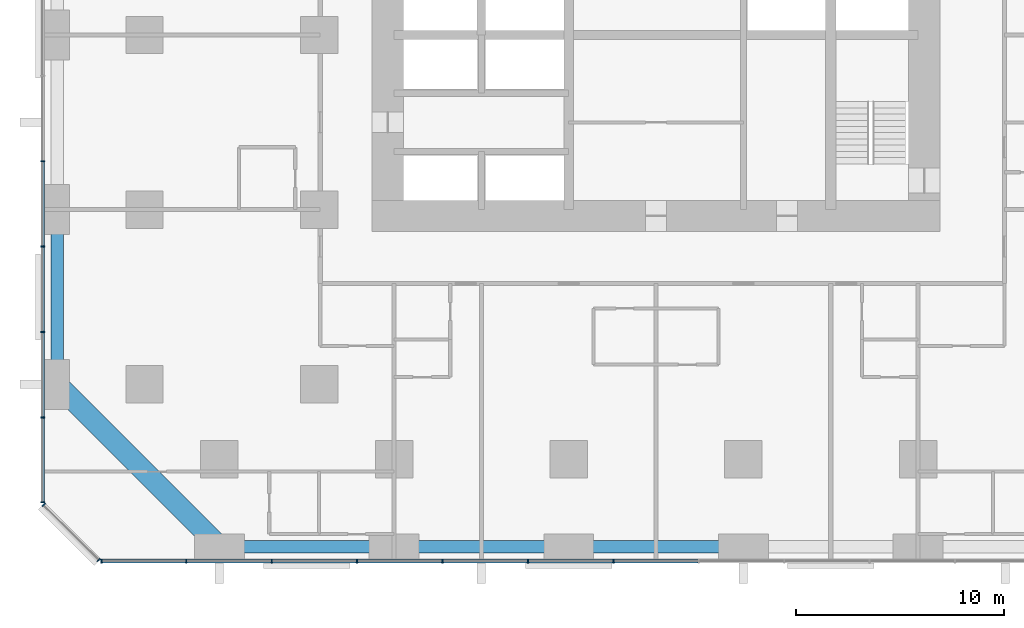
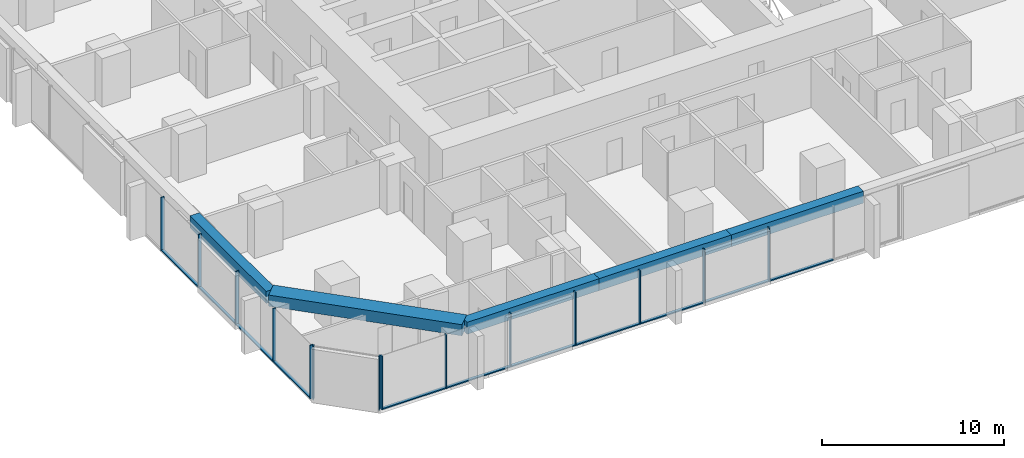
# One storey, part 2 of 17: 25 members, 5 beams, 3 elements without a shape of their own.
"""IFC4 building model written with IfcOpenShell, lengths in metres."""

import ifcopenshell
import ifcopenshell.guid

model = None  # the IFC model being written
_history = None  # IfcOwnerHistory: only IFC2X3 demands one
_inside = {}  # id of a spatial element -> (the spatial element, [elements in it])
_under = {}  # id of a project, library or spatial element -> (it, [spatial elements below it])
_declared = {}  # id of a project -> (the project, [libraries it declares])
_typed = {}  # id of a type object -> (the type object, [elements of that type])
_made_of = {}  # id of a material, layer set ... -> (it, [elements and type objects made of it])


def new_model(schema):
    """Start an empty IFC model of exactly this schema.

    Asked for "IFC4X3", IfcOpenShell would pick the latest addendum, in which some entities
    have other attributes; the version numbers below select the first issue.
    IFC2X3 requires an IfcOwnerHistory on every rooted entity: one is made here for all.
    """
    global model, _history
    if schema == "IFC4X3":
        model = ifcopenshell.file(schema_version=(4, 3, 0, 0))
    else:
        model = ifcopenshell.file(schema=schema)
    _inside.clear()
    _under.clear()
    _declared.clear()
    _typed.clear()
    _made_of.clear()
    _history = None
    if model.schema == "IFC2X3":
        org = make("IfcOrganization", Name="unknown")
        user = make(
            "IfcPersonAndOrganization",
            ThePerson=make("IfcPerson", FamilyName="unknown"),
            TheOrganization=org,
        )
        app = make(
            "IfcApplication",
            ApplicationDeveloper=org,
            Version="unknown",
            ApplicationFullName="unknown",
            ApplicationIdentifier="unknown",
        )
        _history = make(
            "IfcOwnerHistory",
            OwningUser=user,
            OwningApplication=app,
            ChangeAction="ADDED",
            CreationDate=0,
        )
    return model


def make(cls, **values):
    """One entity of the class cls with the attributes given. An attribute that is None is left unset."""
    return model.create_entity(
        cls, **{name: value for name, value in values.items() if value is not None}
    )


def rooted(cls, **values):
    """An entity with a GlobalId (a new one), such as an element, a storey or a relation."""
    return make(cls, GlobalId=ifcopenshell.guid.new(), OwnerHistory=_history, **values)


def si_unit(unit_type, name, prefix=None):
    """IfcSIUnit, for example si_unit("LENGTHUNIT", "METRE", prefix="MILLI")."""
    return make("IfcSIUnit", UnitType=unit_type, Prefix=prefix, Name=name)


def assignment(units):
    """IfcUnitAssignment: the units of a project."""
    return None if units is None else make("IfcUnitAssignment", Units=units)


def point(xyz):
    """IfcCartesianPoint."""
    return None if xyz is None else make("IfcCartesianPoint", Coordinates=xyz)


def direction(xyz):
    """IfcDirection."""
    return None if xyz is None else make("IfcDirection", DirectionRatios=xyz)


def frame(location, z_axis=None, x_axis=None):
    """IfcAxis2Placement3D, a coordinate frame: its origin and axes. An axis left out is left unset."""
    return make(
        "IfcAxis2Placement3D",
        Location=point(location),
        Axis=direction(z_axis),
        RefDirection=direction(x_axis),
    )


def frame_2d(location, x_axis=None):
    """IfcAxis2Placement2D, a coordinate frame in the plane: its origin and x axis."""
    return make(
        "IfcAxis2Placement2D", Location=point(location), RefDirection=direction(x_axis)
    )


def origin():
    """The frame at (0, 0, 0) with its axes left unset."""
    return frame((0.0, 0.0, 0.0))


def origin_2d():
    """The frame at (0, 0) in the plane with its x axis left unset."""
    return frame_2d((0.0, 0.0))


def place(relative_to, where):
    """IfcLocalPlacement: puts the frame where relative to a parent placement (None: the world)."""
    return make(
        "IfcLocalPlacement", PlacementRelTo=relative_to, RelativePlacement=where
    )


def context(
    kind, dimensions, precision=None, world=None, true_north=None, identifier=None
):
    """IfcGeometricRepresentationContext, for example the 3D "Model" context."""
    return make(
        "IfcGeometricRepresentationContext",
        ContextIdentifier=identifier,
        ContextType=kind,
        CoordinateSpaceDimension=dimensions,
        Precision=precision,
        WorldCoordinateSystem=world,
        TrueNorth=true_north,
    )


def subcontext(parent, identifier, kind, view, scale=None):
    """IfcGeometricRepresentationSubContext, for example "Body" below "Model"."""
    return make(
        "IfcGeometricRepresentationSubContext",
        ContextIdentifier=identifier,
        ContextType=kind,
        ParentContext=parent,
        TargetScale=scale,
        TargetView=view,
    )


def project(units=None, contexts=None):
    """IfcProject with its units and contexts."""
    return rooted(
        "IfcProject",
        Name="project",
        RepresentationContexts=contexts,
        UnitsInContext=assignment(units),
    )


def spatial(cls, under=None, at=None, **own):
    """A site, building, storey or space (cls), placed at a placement, below another one or the project."""
    s = rooted(cls, ObjectPlacement=at, **own)
    if under is not None:
        _under.setdefault(under.id(), (under, []))[1].append(s)
    return s


def profile(cls, at=None, kind="AREA", **sizes):
    """A parametric profile (cls). Its sizes go by their IFC names, for example OverallWidth=200.0."""
    return make(cls, ProfileType=kind, Position=at, **sizes)


def rectangle(**sizes):
    """IfcRectangleProfileDef."""
    return profile("IfcRectangleProfileDef", **sizes)


def extrude(swept, where, along, depth):
    """IfcExtrudedAreaSolid: the profile swept, set in the frame where, extruded along a direction by depth."""
    return make(
        "IfcExtrudedAreaSolid",
        SweptArea=swept,
        Position=where,
        ExtrudedDirection=direction(along),
        Depth=depth,
    )


def shape(context_of_items, identifier, shape_type, items):
    """IfcShapeRepresentation: the items that make up one representation, for example the "Body"."""
    return make(
        "IfcShapeRepresentation",
        ContextOfItems=context_of_items,
        RepresentationIdentifier=identifier,
        RepresentationType=shape_type,
        Items=items,
    )


def material(Name=None, Category=None):
    """IfcMaterial."""
    return make("IfcMaterial", Name=Name, Category=Category)


def material_profile(
    of_material, cross_section, Name=None, Category=None, Priority=None
):
    """IfcMaterialProfile: a cross section and its material."""
    return make(
        "IfcMaterialProfile",
        Name=Name,
        Material=of_material,
        Profile=cross_section,
        Priority=Priority,
        Category=Category,
    )


def profile_set(profiles, Name=None, composite=None):
    """IfcMaterialProfileSet."""
    return make(
        "IfcMaterialProfileSet",
        Name=Name,
        MaterialProfiles=profiles,
        CompositeProfile=composite,
    )


def made_of(thing, what):
    """Note that an element or type object is made of a material, layer set ...; save() writes the relation."""
    if what is not None:
        _made_of.setdefault(what.id(), (what, []))[1].append(thing)
    return thing


def type_object(cls, material=None, **own):
    """A type object (cls), such as IfcWallType, which elements share."""
    return made_of(rooted(cls, **own), material)


def element(
    cls,
    number,
    at=None,
    inside=None,
    cuts=None,
    type_object=None,
    material=None,
    context=None,
    identifier="Body",
    shape_type=None,
    held_by="IfcProductDefinitionShape",
    body=None,
    shapes=None,
    **own,
):
    """One element of the class cls, such as IfcWall. Its Tag is "e" and its number.

    at: its placement. inside: the storey or other place that contains it. cuts: it is an
    opening in that element (IfcRelVoidsElement). A single representation is given by context,
    identifier, shape_type and body (its items); several are given by shapes. held_by: the class
    of the entity that holds the representations. save() writes the other relations.
    """
    e = rooted(cls, Tag="e%d" % number, ObjectPlacement=at, **own)
    if body is not None:
        shapes = [shape(context, identifier, shape_type, body)]
    if shapes is not None:
        e.Representation = make(held_by, Representations=shapes)
    if inside is not None:
        _inside.setdefault(inside.id(), (inside, []))[1].append(e)
    if cuts is not None:
        rooted(
            "IfcRelVoidsElement", RelatingBuildingElement=cuts, RelatedOpeningElement=e
        )
    if type_object is not None:
        _typed.setdefault(type_object.id(), (type_object, []))[1].append(e)
    return made_of(e, material)


def aggregate(whole, parts):
    """IfcRelAggregates: a whole, such as a stair, and the parts it consists of."""
    return rooted("IfcRelAggregates", RelatingObject=whole, RelatedObjects=parts)


def save(model, path):
    """Write the relations noted so far, then the file.

    IfcRelAggregates (storeys below a building ...), IfcRelContainedInSpatialStructure (elements
    in a storey), IfcRelDefinesByType, IfcRelAssociatesMaterial and IfcRelDeclares: one each for
    every whole, place, type object, material and project.
    """
    for whole, parts in _under.values():
        aggregate(whole, parts)
    for where, things in _inside.values():
        rooted(
            "IfcRelContainedInSpatialStructure",
            RelatedElements=things,
            RelatingStructure=where,
        )
    for kind, things in _typed.values():
        rooted("IfcRelDefinesByType", RelatedObjects=things, RelatingType=kind)
    for what, things in _made_of.values():
        rooted("IfcRelAssociatesMaterial", RelatedObjects=things, RelatingMaterial=what)
    for by, libraries in _declared.values():
        rooted("IfcRelDeclares", RelatingContext=by, RelatedDefinitions=libraries)
    model.write(path)


model = new_model("IFC4")

# Units and contexts
model_context = context("Model", 3, precision=1e-05, world=origin(), true_north=direction((0.0, 1.0)))
body_context = subcontext(model_context, "Body", "Model", "MODEL_VIEW")
ifc_project = project(units=[si_unit("LENGTHUNIT", "METRE"), si_unit("AREAUNIT", "SQUARE_METRE"), si_unit("VOLUMEUNIT", "CUBIC_METRE"), si_unit("PLANEANGLEUNIT", "RADIAN"), si_unit("MASSUNIT", "GRAM", prefix="KILO")], contexts=[model_context])

# Site, building, storey
site_placement = place(None, origin())
site = spatial("IfcSite", under=ifc_project, at=site_placement, CompositionType="ELEMENT")
building_placement = place(site_placement, origin())
building = spatial("IfcBuilding", under=site, at=building_placement, Name="Dunama Terrace Hotel", CompositionType="ELEMENT")
storey_placement = place(building_placement, frame((0.0, 0.0, 63.0)))
storey = spatial("IfcBuildingStorey", under=building, at=storey_placement, Name="L15", CompositionType="ELEMENT", Elevation=63.0)

# Curtain wall, members
ifc_material_1 = material(Name="Aluminium curtain wall system", Category="aluminium")
curtain_wall_type = type_object("IfcCurtainWallType", Name="Unitised fritted glass wall CW-A", PredefinedType="NOTDEFINED", material=ifc_material_1)
curtain_wall_1_placement = place(storey_placement, origin())
curtain_wall_1 = element("IfcCurtainWall", 1, at=curtain_wall_1_placement, inside=storey, type_object=curtain_wall_type, Name="Unitised fritted glass wall CW-A L15", PredefinedType="NOTDEFINED")
ifc_material_2 = material(Name="Aluminium mullion", Category="aluminium")
ifc_material_profile_1 = material_profile(ifc_material_2, rectangle(XDim=0.06494140625, YDim=0.199951171875, at=origin_2d()), Name="CWA MULLION 65X200")
ifc_profile_set_1 = profile_set([ifc_material_profile_1], Name="Aluminium mullion")
member_type_1 = type_object("IfcMemberType", Name="CWA mullion 65x200", PredefinedType="MULLION", material=ifc_profile_set_1)
member_1_placement = place(storey_placement, frame((2.73291015625, -0.10009765625, 0.0), z_axis=(0.0, 0.0, 1.0), x_axis=(1.0, 0.0, 0.0)))
member_1 = element("IfcMember", 2, at=member_1_placement, type_object=member_type_1, Name="CWA mullion", PredefinedType="MULLION", context=body_context, shape_type="SweptSolid", body=[
    extrude(rectangle(XDim=0.06494140625, YDim=0.199951171875, at=origin_2d()), origin(), (0.0, 0.0, 1.0), 3.60009765625),
])
member_2_placement = place(storey_placement, frame((6.80810546875, -0.10009765625, 0.0), z_axis=(0.0, 0.0, 1.0), x_axis=(1.0, 0.0, 0.0)))
member_2 = element("IfcMember", 3, at=member_2_placement, type_object=member_type_1, Name="CWA mullion", PredefinedType="MULLION", context=body_context, shape_type="SweptSolid", body=[
    extrude(rectangle(XDim=0.06494140625, YDim=0.199951171875, at=origin_2d()), origin(), (0.0, 0.0, 1.0), 3.60009765625),
])
member_3_placement = place(storey_placement, frame((10.9150390625, -0.10009765625, 0.0), z_axis=(0.0, 0.0, 1.0), x_axis=(1.0, 0.0, 0.0)))
member_3 = element("IfcMember", 4, at=member_3_placement, type_object=member_type_1, Name="CWA mullion", PredefinedType="MULLION", context=body_context, shape_type="SweptSolid", body=[
    extrude(rectangle(XDim=0.06494140625, YDim=0.199951171875, at=origin_2d()), origin(), (0.0, 0.0, 1.0), 3.60009765625),
])
member_4_placement = place(storey_placement, frame((15.02294921875, -0.10009765625, 0.0), z_axis=(0.0, 0.0, 1.0), x_axis=(1.0, 0.0, 0.0)))
member_4 = element("IfcMember", 5, at=member_4_placement, type_object=member_type_1, Name="CWA mullion", PredefinedType="MULLION", context=body_context, shape_type="SweptSolid", body=[
    extrude(rectangle(XDim=0.06494140625, YDim=0.199951171875, at=origin_2d()), origin(), (0.0, 0.0, 1.0), 3.60009765625),
])
member_5_placement = place(storey_placement, frame((19.131103515625, -0.10009765625, 0.0), z_axis=(0.0, 0.0, 1.0), x_axis=(1.0, 0.0, 0.0)))
member_5 = element("IfcMember", 6, at=member_5_placement, type_object=member_type_1, Name="CWA mullion", PredefinedType="MULLION", context=body_context, shape_type="SweptSolid", body=[
    extrude(rectangle(XDim=0.06494140625, YDim=0.199951171875, at=origin_2d()), origin(), (0.0, 0.0, 1.0), 3.60009765625),
])
member_6_placement = place(storey_placement, frame((23.238037109375, -0.10009765625, 0.0), z_axis=(0.0, 0.0, 1.0), x_axis=(1.0, 0.0, 0.0)))
member_6 = element("IfcMember", 7, at=member_6_placement, type_object=member_type_1, Name="CWA mullion", PredefinedType="MULLION", context=body_context, shape_type="SweptSolid", body=[
    extrude(rectangle(XDim=0.06494140625, YDim=0.199951171875, at=origin_2d()), origin(), (0.0, 0.0, 1.0), 3.60009765625),
])
member_7_placement = place(storey_placement, frame((27.345947265625, -0.10009765625, 0.0), z_axis=(0.0, 0.0, 1.0), x_axis=(1.0, 0.0, 0.0)))
member_7 = element("IfcMember", 8, at=member_7_placement, type_object=member_type_1, Name="CWA mullion", PredefinedType="MULLION", context=body_context, shape_type="SweptSolid", body=[
    extrude(rectangle(XDim=0.06494140625, YDim=0.199951171875, at=origin_2d()), origin(), (0.0, 0.0, 1.0), 3.60009765625),
])

curtain_wall_2_placement = place(storey_placement, origin())
curtain_wall_2 = element("IfcCurtainWall", 9, at=curtain_wall_2_placement, inside=storey, type_object=curtain_wall_type, Name="Unitised fritted glass wall CW-A L15", PredefinedType="NOTDEFINED")
member_8_placement = place(storey_placement, frame((-0.10009765625, 19.131103515625, 0.0), z_axis=(0.0, 0.0, 1.0), x_axis=(0.0, -1.0, 0.0)))
member_8 = element("IfcMember", 10, at=member_8_placement, type_object=member_type_1, Name="CWA mullion", PredefinedType="MULLION", context=body_context, shape_type="SweptSolid", body=[
    extrude(rectangle(XDim=0.06494140625, YDim=0.199951171875, at=origin_2d()), origin(), (0.0, 0.0, 1.0), 3.60009765625),
])
member_9_placement = place(storey_placement, frame((-0.10009765625, 15.02294921875, 0.0), z_axis=(0.0, 0.0, 1.0), x_axis=(0.0, -1.0, 0.0)))
member_9 = element("IfcMember", 11, at=member_9_placement, type_object=member_type_1, Name="CWA mullion", PredefinedType="MULLION", context=body_context, shape_type="SweptSolid", body=[
    extrude(rectangle(XDim=0.06494140625, YDim=0.199951171875, at=origin_2d()), origin(), (0.0, 0.0, 1.0), 3.60009765625),
])
member_10_placement = place(storey_placement, frame((-0.10009765625, 10.9150390625, 0.0), z_axis=(0.0, 0.0, 1.0), x_axis=(0.0, -1.0, 0.0)))
member_10 = element("IfcMember", 12, at=member_10_placement, type_object=member_type_1, Name="CWA mullion", PredefinedType="MULLION", context=body_context, shape_type="SweptSolid", body=[
    extrude(rectangle(XDim=0.06494140625, YDim=0.199951171875, at=origin_2d()), origin(), (0.0, 0.0, 1.0), 3.60009765625),
])
member_11_placement = place(storey_placement, frame((-0.10009765625, 6.80810546875, 0.0), z_axis=(0.0, 0.0, 1.0), x_axis=(0.0, -1.0, 0.0)))
member_11 = element("IfcMember", 13, at=member_11_placement, type_object=member_type_1, Name="CWA mullion", PredefinedType="MULLION", context=body_context, shape_type="SweptSolid", body=[
    extrude(rectangle(XDim=0.06494140625, YDim=0.199951171875, at=origin_2d()), origin(), (0.0, 0.0, 1.0), 3.60009765625),
])
member_12_placement = place(storey_placement, frame((-0.10009765625, 2.73291015625, 0.0), z_axis=(0.0, 0.0, 1.0), x_axis=(0.0, -1.0, 0.0)))
member_12 = element("IfcMember", 14, at=member_12_placement, type_object=member_type_1, Name="CWA mullion", PredefinedType="MULLION", context=body_context, shape_type="SweptSolid", body=[
    extrude(rectangle(XDim=0.06494140625, YDim=0.199951171875, at=origin_2d()), origin(), (0.0, 0.0, 1.0), 3.60009765625),
])

curtain_wall_3_placement = place(storey_placement, origin())
curtain_wall_3 = element("IfcCurtainWall", 15, at=curtain_wall_3_placement, inside=storey, type_object=curtain_wall_type, Name="Unitised fritted glass wall CW-A L15", PredefinedType="NOTDEFINED")
member_13_placement = place(storey_placement, frame((-0.048095703125, 2.60595703125, 0.0), z_axis=(0.0, 0.0, 1.0), x_axis=(0.707106781187, -0.707106781187, 0.0)))
member_13 = element("IfcMember", 16, at=member_13_placement, type_object=member_type_1, Name="CWA mullion", PredefinedType="MULLION", context=body_context, shape_type="SweptSolid", body=[
    extrude(rectangle(XDim=0.06494140625, YDim=0.199951171875, at=origin_2d()), origin(), (0.0, 0.0, 1.0), 3.60009765625),
])
member_14_placement = place(storey_placement, frame((2.60595703125, -0.048095703125, 0.0), z_axis=(0.0, 0.0, 1.0), x_axis=(0.707106781187, -0.707106781187, 0.0)))
member_14 = element("IfcMember", 17, at=member_14_placement, type_object=member_type_1, Name="CWA mullion", PredefinedType="MULLION", context=body_context, shape_type="SweptSolid", body=[
    extrude(rectangle(XDim=0.06494140625, YDim=0.199951171875, at=origin_2d()), origin(), (0.0, 0.0, 1.0), 3.60009765625),
])
aggregate(curtain_wall_3, [member_13, member_14])

# Member
ifc_material_3 = material(Name="Aluminium transom", Category="aluminium")
ifc_material_profile_2 = material_profile(ifc_material_3, rectangle(XDim=0.179931640625, YDim=0.074951171875, at=origin_2d()), Name="CWA TRANSOM 180X75")
ifc_profile_set_2 = profile_set([ifc_material_profile_2], Name="Aluminium transom")
member_type_2 = type_object("IfcMemberType", Name="CWA transom 180x75", PredefinedType="USERDEFINED", material=ifc_profile_set_2)
member_15_placement = place(storey_placement, frame((2.764892578125, -0.10009765625, 0.03759765625), z_axis=(1.0, 0.0, 0.0), x_axis=(0.0, 1.0, 0.0)))
member_15 = element("IfcMember", 18, at=member_15_placement, type_object=member_type_2, Name="CWA transom", ObjectType="TRANSOM", PredefinedType="USERDEFINED", context=body_context, shape_type="SweptSolid", body=[
    extrude(rectangle(XDim=0.179931640625, YDim=0.074951171875, at=origin_2d()), origin(), (0.0, 0.0, 1.0), 4.010009765625),
])

member_16_placement = place(storey_placement, frame((6.840087890625, -0.10009765625, 0.03759765625), z_axis=(1.0, 0.0, 0.0), x_axis=(0.0, 1.0, 0.0)))
member_16 = element("IfcMember", 19, at=member_16_placement, type_object=member_type_2, Name="CWA transom", ObjectType="TRANSOM", PredefinedType="USERDEFINED", context=body_context, shape_type="SweptSolid", body=[
    extrude(rectangle(XDim=0.179931640625, YDim=0.074951171875, at=origin_2d()), origin(), (0.0, 0.0, 1.0), 4.04296875),
])

member_17_placement = place(storey_placement, frame((10.947998046875, -0.10009765625, 0.03759765625), z_axis=(1.0, 0.0, 0.0), x_axis=(0.0, 1.0, 0.0)))
member_17 = element("IfcMember", 20, at=member_17_placement, type_object=member_type_2, Name="CWA transom", ObjectType="TRANSOM", PredefinedType="USERDEFINED", context=body_context, shape_type="SweptSolid", body=[
    extrude(rectangle(XDim=0.179931640625, YDim=0.074951171875, at=origin_2d()), origin(), (0.0, 0.0, 1.0), 4.04296875),
])

member_18_placement = place(storey_placement, frame((15.055908203125, -0.10009765625, 0.03759765625), z_axis=(1.0, 0.0, 0.0), x_axis=(0.0, 1.0, 0.0)))
member_18 = element("IfcMember", 21, at=member_18_placement, type_object=member_type_2, Name="CWA transom", ObjectType="TRANSOM", PredefinedType="USERDEFINED", context=body_context, shape_type="SweptSolid", body=[
    extrude(rectangle(XDim=0.179931640625, YDim=0.074951171875, at=origin_2d()), origin(), (0.0, 0.0, 1.0), 4.0419921875),
])

member_19_placement = place(storey_placement, frame((19.1630859375, -0.10009765625, 0.03759765625), z_axis=(1.0, 0.0, 0.0), x_axis=(0.0, 1.0, 0.0)))
member_19 = element("IfcMember", 22, at=member_19_placement, type_object=member_type_2, Name="CWA transom", ObjectType="TRANSOM", PredefinedType="USERDEFINED", context=body_context, shape_type="SweptSolid", body=[
    extrude(rectangle(XDim=0.179931640625, YDim=0.074951171875, at=origin_2d()), origin(), (0.0, 0.0, 1.0), 4.04296875),
])

member_20_placement = place(storey_placement, frame((23.27099609375, -0.10009765625, 0.03759765625), z_axis=(1.0, 0.0, 0.0), x_axis=(0.0, 1.0, 0.0)))
member_20 = element("IfcMember", 23, at=member_20_placement, type_object=member_type_2, Name="CWA transom", ObjectType="TRANSOM", PredefinedType="USERDEFINED", context=body_context, shape_type="SweptSolid", body=[
    extrude(rectangle(XDim=0.179931640625, YDim=0.074951171875, at=origin_2d()), origin(), (0.0, 0.0, 1.0), 4.04296875),
])

member_21_placement = place(storey_placement, frame((27.37890625, -0.10009765625, 0.03759765625), z_axis=(1.0, 0.0, 0.0), x_axis=(0.0, 1.0, 0.0)))
member_21 = element("IfcMember", 24, at=member_21_placement, type_object=member_type_2, Name="CWA transom", ObjectType="TRANSOM", PredefinedType="USERDEFINED", context=body_context, shape_type="SweptSolid", body=[
    extrude(rectangle(XDim=0.179931640625, YDim=0.074951171875, at=origin_2d()), origin(), (0.0, 0.0, 1.0), 4.0419921875),
])

aggregate(curtain_wall_1, [member_1, member_2, member_3, member_4, member_5, member_6, member_7, member_15, member_16, member_17, member_18, member_19, member_20, member_21])

member_22_placement = place(storey_placement, frame((-0.10009765625, 19.097900390625, 0.03759765625), z_axis=(0.0, -1.0, 0.0), x_axis=(1.0, 0.0, 0.0)))
member_22 = element("IfcMember", 25, at=member_22_placement, type_object=member_type_2, Name="CWA transom", ObjectType="TRANSOM", PredefinedType="USERDEFINED", context=body_context, shape_type="SweptSolid", body=[
    extrude(rectangle(XDim=0.179931640625, YDim=0.074951171875, at=origin_2d()), origin(), (0.0, 0.0, 1.0), 4.0419921875),
])

member_23_placement = place(storey_placement, frame((-0.10009765625, 14.990966796875, 0.03759765625), z_axis=(0.0, -1.0, 0.0), x_axis=(1.0, 0.0, 0.0)))
member_23 = element("IfcMember", 26, at=member_23_placement, type_object=member_type_2, Name="CWA transom", ObjectType="TRANSOM", PredefinedType="USERDEFINED", context=body_context, shape_type="SweptSolid", body=[
    extrude(rectangle(XDim=0.179931640625, YDim=0.074951171875, at=origin_2d()), origin(), (0.0, 0.0, 1.0), 4.04296875),
])

member_24_placement = place(storey_placement, frame((-0.10009765625, 10.883056640625, 0.03759765625), z_axis=(0.0, -1.0, 0.0), x_axis=(1.0, 0.0, 0.0)))
member_24 = element("IfcMember", 27, at=member_24_placement, type_object=member_type_2, Name="CWA transom", ObjectType="TRANSOM", PredefinedType="USERDEFINED", context=body_context, shape_type="SweptSolid", body=[
    extrude(rectangle(XDim=0.179931640625, YDim=0.074951171875, at=origin_2d()), origin(), (0.0, 0.0, 1.0), 4.04296875),
])

member_25_placement = place(storey_placement, frame((-0.10009765625, 6.77490234375, 0.03759765625), z_axis=(0.0, -1.0, 0.0), x_axis=(1.0, 0.0, 0.0)))
member_25 = element("IfcMember", 28, at=member_25_placement, type_object=member_type_2, Name="CWA transom", ObjectType="TRANSOM", PredefinedType="USERDEFINED", context=body_context, shape_type="SweptSolid", body=[
    extrude(rectangle(XDim=0.179931640625, YDim=0.074951171875, at=origin_2d()), origin(), (0.0, 0.0, 1.0), 4.010009765625),
])

aggregate(curtain_wall_2, [member_8, member_9, member_10, member_11, member_12, member_22, member_23, member_24, member_25])

# Beams
ifc_material_4 = material(Name="Concrete C50/60", Category="concrete")
ifc_material_profile_3 = material_profile(ifc_material_4, rectangle(XDim=1.0, YDim=0.75, at=origin_2d()), Name="RC 1000x750")
ifc_profile_set_3 = profile_set([ifc_material_profile_3], Name="Concrete C50/60")
beam_type_1 = type_object("IfcBeamType", Name="Edge beam RC 1000x750", PredefinedType="SPANDREL", material=ifc_profile_set_3)
beam_1_placement = place(storey_placement, frame((8.39990234375, 0.60009765625, 3.22509765625), z_axis=(-0.707106781187, 0.707106781187, 0.0), x_axis=(-0.707106781187, -0.707106781187, 0.0)))
element("IfcBeam", 29, at=beam_1_placement, inside=storey, type_object=beam_type_1, Name="Corner edge beam under L16", PredefinedType="SPANDREL", context=body_context, shape_type="SweptSolid", body=[
    extrude(rectangle(XDim=1.0, YDim=0.75, at=origin_2d()), origin(), (0.0, 0.0, 1.0), 11.030517578125),
])
ifc_material_5 = material(Name="Concrete C40/50", Category="concrete")
ifc_material_profile_4 = material_profile(ifc_material_5, rectangle(XDim=0.60009765625, YDim=0.800048828125, at=origin_2d()), Name="RC 600x800")
ifc_profile_set_4 = profile_set([ifc_material_profile_4], Name="Concrete C40/50")
beam_type_2 = type_object("IfcBeamType", Name="Edge beam RC 600x800", PredefinedType="SPANDREL", material=ifc_profile_set_4)
for number, where, z_axis, x_axis, name in (
    (30, (0.60009765625, 8.39990234375, 3.199951171875), (0.0, 1.0, 0.0), (-1.0, 0.0, 0.0), "Edge beam under L16"),
    (31, (8.39990234375, 0.60009765625, 3.199951171875), (1.0, 0.0, 0.0), (0.0, 1.0, 0.0), "Edge beam under L16"),
):
    element("IfcBeam", number, at=place(storey_placement, frame(where, z_axis=z_axis, x_axis=x_axis)), inside=storey, type_object=beam_type_2, Name=name, PredefinedType="SPANDREL", context=body_context, shape_type="SweptSolid", body=[
        extrude(rectangle(XDim=0.60009765625, YDim=0.800048828125, at=origin_2d()), origin(), (0.0, 0.0, 1.0), 8.400146484375),
    ])
beam_2_placement = place(storey_placement, frame((16.800048828125, 0.60009765625, 3.199951171875), z_axis=(1.0, 0.0, 0.0), x_axis=(0.0, 1.0, 0.0)))
element("IfcBeam", 32, at=beam_2_placement, inside=storey, type_object=beam_type_2, Name="Edge beam under L16", PredefinedType="SPANDREL", context=body_context, shape_type="SweptSolid", body=[
    extrude(rectangle(XDim=0.60009765625, YDim=0.800048828125, at=origin_2d()), origin(), (0.0, 0.0, 1.0), 8.39990234375),
])
beam_3_placement = place(storey_placement, frame((25.199951171875, 0.60009765625, 3.199951171875), z_axis=(1.0, 0.0, 0.0), x_axis=(0.0, 1.0, 0.0)))
element("IfcBeam", 33, at=beam_3_placement, inside=storey, type_object=beam_type_2, Name="Edge beam under L16", PredefinedType="SPANDREL", context=body_context, shape_type="SweptSolid", body=[
    extrude(rectangle(XDim=0.60009765625, YDim=0.800048828125, at=origin_2d()), origin(), (0.0, 0.0, 1.0), 8.400146484375),
])

save(model, "model.ifc")
